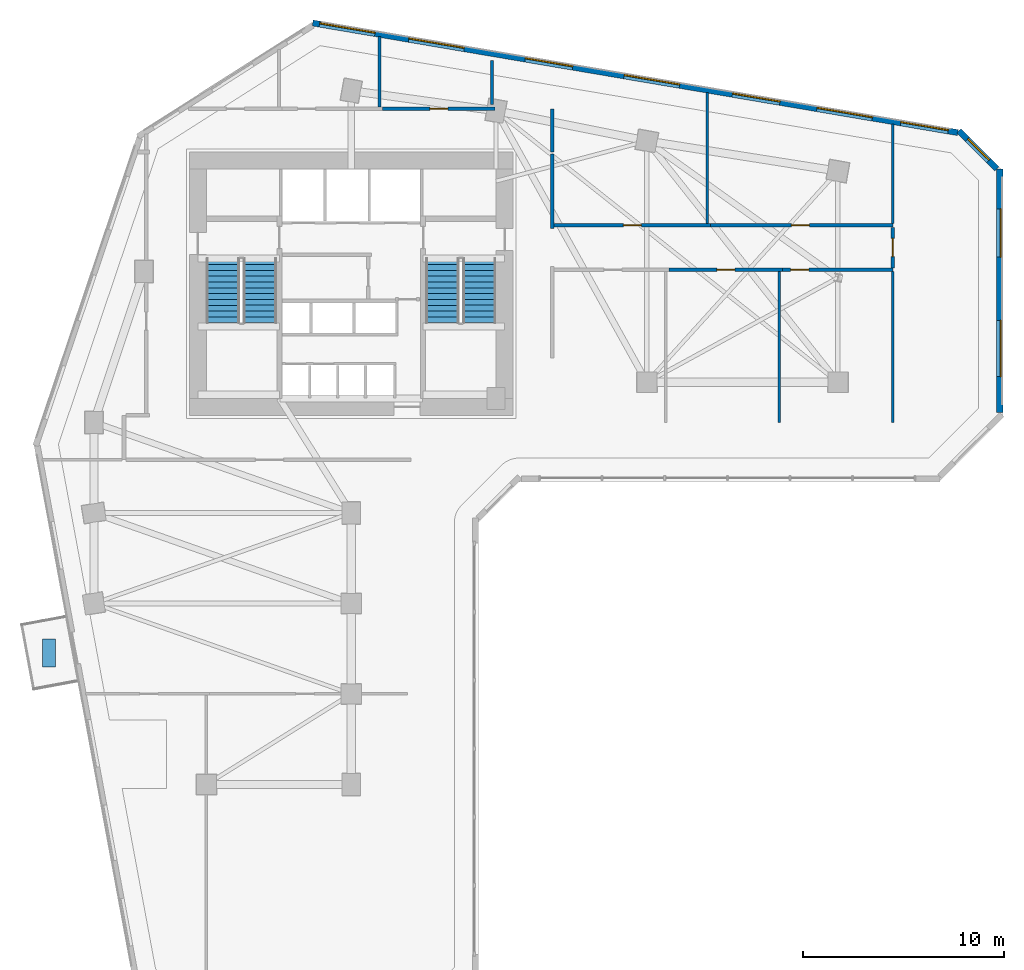
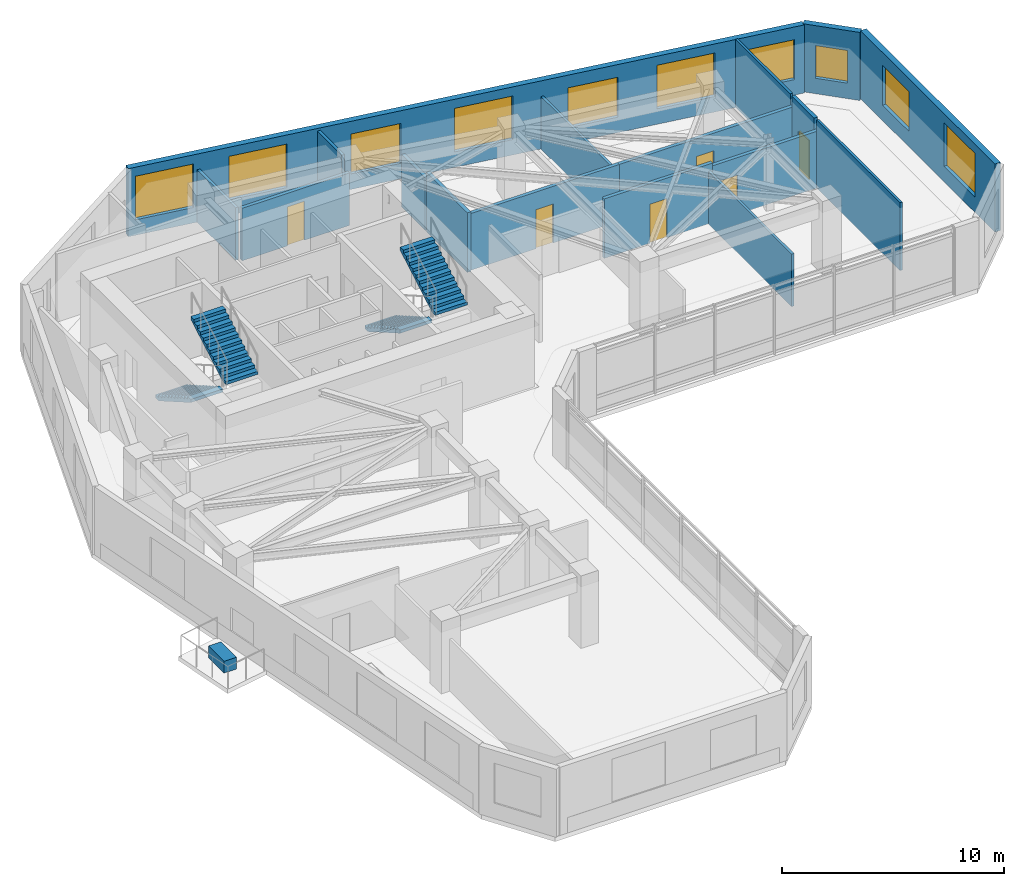
# One storey, part 7 of 9: 17 walls, 10 windows, 6 doors, 4 stair flights, 1 discrete accessory, 16 openings, 2 elements without a shape of their own.
"""IFC4 building model written with IfcOpenShell, lengths in metres."""

from ifc_helpers import new_model, si_unit, direction, frame, frame_2d, origin, origin_2d, place, context, subcontext, project, spatial, polyline, rectangle, outline, extrude, source, transform, mapped, material, layer, layer_set, type_object, element, fill, aggregate, save


model = new_model("IFC4")

# Units and contexts
model_context = context("Model", 3, precision=1e-05, world=origin(), true_north=direction((0.0, 1.0)))
body_context = subcontext(model_context, "Body", "Model", "MODEL_VIEW")
ifc_project = project(units=[si_unit("LENGTHUNIT", "METRE"), si_unit("AREAUNIT", "SQUARE_METRE"), si_unit("VOLUMEUNIT", "CUBIC_METRE"), si_unit("PLANEANGLEUNIT", "RADIAN"), si_unit("MASSUNIT", "GRAM", prefix="KILO")], contexts=[model_context])

# Site, building, storey
site_placement = place(None, origin())
site = spatial("IfcSite", under=ifc_project, at=site_placement, CompositionType="ELEMENT")
building_placement = place(site_placement, origin())
building = spatial("IfcBuilding", under=site, at=building_placement, Name="Calvemar Wedge Station Tower", CompositionType="ELEMENT")
storey_placement = place(building_placement, frame((0.0, 0.0, 67.0)))
storey = spatial("IfcBuildingStorey", under=building, at=storey_placement, Name="L16", CompositionType="ELEMENT", Elevation=67.0)

# Wall, opening, door
ifc_material_1 = material(Name="Double-stud fire-rated corridor partition")
ifc_layer_1 = layer(ifc_material_1, 0.179931640625)
ifc_layer_set_1 = layer_set([ifc_layer_1], Name="Double-stud fire-rated corridor partition")
wall_type_1 = type_object("IfcWallType", Name="W-CORR-180", PredefinedType="PARTITIONING", material=ifc_layer_set_1)
wall_1_placement = place(storey_placement, frame((25.362060546875, 48.60009765625, 0.0), z_axis=(0.0, 0.0, 1.0), x_axis=(1.0, 0.0, 0.0)))
wall_1 = element("IfcWall", 1, at=wall_1_placement, inside=storey, type_object=wall_type_1, Name="Storey L16 Interior Partition WL-L16-011", PredefinedType="PARTITIONING", context=body_context, shape_type="SweptSolid", body=[
    extrude(rectangle(XDim=5.597900390625, YDim=0.179931640625, at=frame_2d((2.798828125, 0.0))), origin(), (0.0, 0.0, 1.0), 2.89208984375),
])
shared_shape_1 = source(origin(), body_context, "Body", "SweptSolid", [
    extrude(rectangle(XDim=0.89990234375, YDim=2.14990234375, at=frame_2d((0.449951171875, 1.074951171875))), frame((0.0, 0.10009765625, 0.0), z_axis=(0.0, -1.0, 0.0), x_axis=(1.0, 0.0, 0.0)), (0.0, 0.0, 1.0), 0.199951171875),
])
opening_1_placement = place(wall_1_placement, frame((2.34912109375, 0.0, 0.0)))
opening_1 = element("IfcOpeningElement", 2, at=opening_1_placement, cuts=wall_1, Name="Opening D-01", PredefinedType="OPENING", context=body_context, shape_type="MappedRepresentation", body=[
    mapped(shared_shape_1, transform((0.0, 0.0, 0.0), scale=1.0)),
])
ifc_material_2 = material(Name="Architectural hardwood acoustic swing door", Category="wood")
door_type = type_object("IfcDoorType", Name="DR-INT-900", OperationType="NOTDEFINED", PredefinedType="DOOR", material=ifc_material_2)
shared_shape_2 = source(origin(), body_context, "Body", "SweptSolid", [
    extrude(rectangle(XDim=0.89990234375, YDim=2.14990234375, at=frame_2d((0.449951171875, 1.074951171875))), frame((0.0, 0.02490234375, 0.0), z_axis=(0.0, -1.0, 0.0), x_axis=(1.0, 0.0, 0.0)), (0.0, 0.0, 1.0), 0.050048828125),
])
door_1_placement = place(opening_1_placement, origin())
door_1 = element("IfcDoor", 3, at=door_1_placement, inside=storey, type_object=door_type, Name="L16 Female Toilet Door", OperationType="SINGLE_SWING_RIGHT", OverallHeight=2.14990234375, OverallWidth=0.89990234375, PredefinedType="DOOR", context=body_context, shape_type="MappedRepresentation", body=[
    mapped(shared_shape_2, transform((0.0, 0.0, 0.0), scale=1.0)),
])
fill(opening_1, door_1)

# Walls
wall_2_placement = place(storey_placement, frame((33.800048828125, 48.60009765625, 0.0), z_axis=(0.0, 0.0, 1.0), x_axis=(0.0, -1.0, 0.0)))
element("IfcWall", 4, at=wall_2_placement, inside=storey, type_object=wall_type_1, Name="Storey L16 Interior Partition WL-L16-012", PredefinedType="PARTITIONING", context=body_context, shape_type="SweptSolid", body=[
    extrude(rectangle(XDim=2.150146484375, YDim=0.179931640625, at=frame_2d((1.0751953125, 0.0))), origin(), (0.0, 0.0, 1.0), 2.89208984375),
])
wall_3_placement = place(storey_placement, frame((33.800048828125, 46.35595703125, 0.0), z_axis=(0.0, 0.0, 1.0), x_axis=(0.0, -1.0, 0.0)))
element("IfcWall", 5, at=wall_3_placement, inside=storey, type_object=wall_type_1, Name="Storey L16 Interior Partition WL-L16-014", PredefinedType="PARTITIONING", context=body_context, shape_type="SweptSolid", body=[
    extrude(rectangle(XDim=3.716064453125, YDim=0.179931640625, at=frame_2d((1.85791015625, 0.0))), origin(), (0.0, 0.0, 1.0), 3.279052734375),
])

# Wall, opening, door
wall_4_placement = place(storey_placement, frame((45.25, 40.60009765625, 0.0), z_axis=(0.0, 0.0, 1.0), x_axis=(-1.0, 0.0, 0.0)))
wall_4 = element("IfcWall", 6, at=wall_4_placement, inside=storey, type_object=wall_type_1, Name="Storey L16 Interior Partition WL-L16-019", PredefinedType="PARTITIONING", context=body_context, shape_type="SweptSolid", body=[
    extrude(rectangle(XDim=5.64306640625, YDim=0.179931640625, at=frame_2d((2.821533203125, 0.0))), origin(), (0.0, 0.0, 1.0), 3.279052734375),
])
opening_2_placement = place(wall_4_placement, frame((2.37158203125, 0.0, 0.0)))
opening_2 = element("IfcOpeningElement", 7, at=opening_2_placement, cuts=wall_4, Name="Opening D-01", PredefinedType="OPENING", context=body_context, shape_type="MappedRepresentation", body=[
    mapped(shared_shape_1, transform((0.0, 0.0, 0.0), scale=1.0)),
])
door_2_placement = place(opening_2_placement, origin())
door_2 = element("IfcDoor", 8, at=door_2_placement, inside=storey, type_object=door_type, Name="L16 Co-Working Studio Door", OperationType="SINGLE_SWING_RIGHT", OverallHeight=2.14990234375, OverallWidth=0.89990234375, PredefinedType="DOOR", context=body_context, shape_type="MappedRepresentation", body=[
    mapped(shared_shape_2, transform((0.0, 0.0, 0.0), scale=1.0)),
])
fill(opening_2, door_2)

wall_5_placement = place(storey_placement, frame((50.735107421875, 40.60009765625, 0.0), z_axis=(0.0, 0.0, 1.0), x_axis=(-1.0, 0.0, 0.0)))
wall_5 = element("IfcWall", 9, at=wall_5_placement, inside=storey, type_object=wall_type_1, Name="Storey L16 Interior Partition WL-L16-020", PredefinedType="PARTITIONING", context=body_context, shape_type="SweptSolid", body=[
    extrude(rectangle(XDim=5.483154296875, YDim=0.179931640625, at=frame_2d((2.74169921875, 0.0))), origin(), (0.0, 0.0, 1.0), 3.125),
])
opening_3_placement = place(wall_5_placement, frame((4.18115234375, 0.0, 0.0)))
opening_3 = element("IfcOpeningElement", 10, at=opening_3_placement, cuts=wall_5, Name="Opening D-01", PredefinedType="OPENING", context=body_context, shape_type="MappedRepresentation", body=[
    mapped(shared_shape_1, transform((0.0, 0.0, 0.0), scale=1.0)),
])
door_3_placement = place(opening_3_placement, origin())
door_3 = element("IfcDoor", 11, at=door_3_placement, inside=storey, type_object=door_type, Name="L16 Meeting Room Door", OperationType="SINGLE_SWING_LEFT", OverallHeight=2.14990234375, OverallWidth=0.89990234375, PredefinedType="DOOR", context=body_context, shape_type="MappedRepresentation", body=[
    mapped(shared_shape_2, transform((0.0, 0.0, 0.0), scale=1.0)),
])
fill(opening_3, door_3)

wall_6_placement = place(storey_placement, frame((33.89404296875, 42.800048828125, 0.0), z_axis=(0.0, 0.0, 1.0), x_axis=(1.0, 0.0, 0.0)))
wall_6 = element("IfcWall", 12, at=wall_6_placement, inside=storey, type_object=wall_type_1, Name="Storey L16 Interior Partition WL-L16-021", PredefinedType="PARTITIONING", context=body_context, shape_type="SweptSolid", body=[
    extrude(rectangle(XDim=7.765869140625, YDim=0.179931640625, at=frame_2d((3.8828125, 0.0))), origin(), (0.0, 0.0, 1.0), 3.125),
])
opening_4_placement = place(wall_6_placement, frame((3.43310546875, 0.0, 0.0)))
opening_4 = element("IfcOpeningElement", 13, at=opening_4_placement, cuts=wall_6, Name="Opening D-01", PredefinedType="OPENING", context=body_context, shape_type="MappedRepresentation", body=[
    mapped(shared_shape_1, transform((0.0, 0.0, 0.0), scale=1.0)),
])
door_4_placement = place(opening_4_placement, origin())
door_4 = element("IfcDoor", 14, at=door_4_placement, inside=storey, type_object=door_type, Name="L16 Meeting Room Door", OperationType="SINGLE_SWING_RIGHT", OverallHeight=2.14990234375, OverallWidth=0.89990234375, PredefinedType="DOOR", context=body_context, shape_type="MappedRepresentation", body=[
    mapped(shared_shape_2, transform((0.0, 0.0, 0.0), scale=1.0)),
])
fill(opening_4, door_4)

wall_7_placement = place(storey_placement, frame((41.662109375, 42.800048828125, 0.0), z_axis=(0.0, 0.0, 1.0), x_axis=(1.0, 0.0, 0.0)))
wall_7 = element("IfcWall", 15, at=wall_7_placement, inside=storey, type_object=wall_type_1, Name="Storey L16 Interior Partition WL-L16-022", PredefinedType="PARTITIONING", context=body_context, shape_type="SweptSolid", body=[
    extrude(rectangle(XDim=9.072998046875, YDim=0.179931640625, at=frame_2d((4.53662109375, 0.0))), origin(), (0.0, 0.0, 1.0), 3.125),
])
opening_5_placement = place(wall_7_placement, frame((4.026123046875, 0.0, 0.0)))
opening_5 = element("IfcOpeningElement", 16, at=opening_5_placement, cuts=wall_7, Name="Opening D-01", PredefinedType="OPENING", context=body_context, shape_type="MappedRepresentation", body=[
    mapped(shared_shape_1, transform((0.0, 0.0, 0.0), scale=1.0)),
])
door_5_placement = place(opening_5_placement, origin())
door_5 = element("IfcDoor", 17, at=door_5_placement, inside=storey, type_object=door_type, Name="L16 Co-Working Studio Door", OperationType="SINGLE_SWING_LEFT", OverallHeight=2.14990234375, OverallWidth=0.89990234375, PredefinedType="DOOR", context=body_context, shape_type="MappedRepresentation", body=[
    mapped(shared_shape_2, transform((0.0, 0.0, 0.0), scale=1.0)),
])
fill(opening_5, door_5)

wall_8_placement = place(storey_placement, frame((50.735107421875, 42.7060546875, 0.0), z_axis=(0.0, 0.0, 1.0), x_axis=(0.0, -1.0, 0.0)))
wall_8 = element("IfcWall", 18, at=wall_8_placement, inside=storey, type_object=wall_type_1, Name="Storey L16 Interior Partition WL-L16-023", PredefinedType="PARTITIONING", context=body_context, shape_type="SweptSolid", body=[
    extrude(rectangle(XDim=2.011962890625, YDim=0.179931640625, at=frame_2d((1.005859375, 0.0))), origin(), (0.0, 0.0, 1.0), 3.75),
])
opening_6_placement = place(wall_8_placement, frame((0.555908203125, 0.0, 0.0)))
opening_6 = element("IfcOpeningElement", 19, at=opening_6_placement, cuts=wall_8, Name="Opening D-01", PredefinedType="OPENING", context=body_context, shape_type="MappedRepresentation", body=[
    mapped(shared_shape_1, transform((0.0, 0.0, 0.0), scale=1.0)),
])
door_6_placement = place(opening_6_placement, origin())
door_6 = element("IfcDoor", 20, at=door_6_placement, inside=storey, type_object=door_type, Name="L16 Conference Hall Door", OperationType="SINGLE_SWING_RIGHT", OverallHeight=2.14990234375, OverallWidth=0.89990234375, PredefinedType="DOOR", context=body_context, shape_type="MappedRepresentation", body=[
    mapped(shared_shape_2, transform((0.0, 0.0, 0.0), scale=1.0)),
])
fill(opening_6, door_6)

# Wall, openings, windows
ifc_material_3 = material(Name="Precast concrete C45", Category="concrete")
ifc_layer_2 = layer(ifc_material_3, 0.300048828125)
ifc_layer_set_2 = layer_set([ifc_layer_2], Name="Precast concrete C45")
wall_type_2 = type_object("IfcWallType", Name="W-EXT-GFRC-300", PredefinedType="SOLIDWALL", material=ifc_layer_set_2)
wall_9_placement = place(storey_placement, frame((56.050048828125, 33.4853515625, 0.0), z_axis=(0.0, 0.0, 1.0), x_axis=(0.0, 1.0, 0.0)))
wall_9 = element("IfcWall", 21, at=wall_9_placement, inside=storey, type_object=wall_type_2, Name="Storey L16 Bronze GFRC Exterior Wall 8", PredefinedType="SOLIDWALL", context=body_context, shape_type="SweptSolid", body=[
    extrude(rectangle(XDim=12.130615234375, YDim=0.300048828125, at=frame_2d((6.0654296875, 0.0))), origin(), (0.0, 0.0, 1.0), 3.75),
])
shared_shape_3 = source(origin(), body_context, "Body", "SweptSolid", [
    extrude(rectangle(XDim=2.800048828125, YDim=2.39990234375, at=frame_2d((1.39990234375, 1.199951171875))), frame((0.0, 0.16015625, 0.0), z_axis=(0.0, -1.0, 0.0), x_axis=(1.0, 0.0, 0.0)), (0.0, 0.0, 1.0), 0.320068359375),
])
opening_7_placement = place(wall_9_placement, frame((1.79296875, 0.0, 0.85009765625)))
opening_7 = element("IfcOpeningElement", 22, at=opening_7_placement, cuts=wall_9, Name="Opening W6", PredefinedType="OPENING", context=body_context, shape_type="MappedRepresentation", body=[
    mapped(shared_shape_3, transform((0.0, 0.0, 0.0), scale=1.0)),
])
shared_shape_4 = source(origin(), body_context, "Body", "SweptSolid", [
    extrude(rectangle(XDim=2.39990234375, YDim=2.199951171875, at=frame_2d((1.199951171875, 1.10009765625))), frame((0.0, 0.16015625, 0.0), z_axis=(0.0, -1.0, 0.0), x_axis=(1.0, 0.0, 0.0)), (0.0, 0.0, 1.0), 0.320068359375),
])
opening_8_placement = place(wall_9_placement, frame((7.738037109375, 0.0, 0.85009765625)))
opening_8 = element("IfcOpeningElement", 23, at=opening_8_placement, cuts=wall_9, Name="Opening W1", PredefinedType="OPENING", context=body_context, shape_type="MappedRepresentation", body=[
    mapped(shared_shape_4, transform((0.0, 0.0, 0.0), scale=1.0)),
])
ifc_material_4 = material(Name="Low-E laminated insulated glass", Category="glass")
window_type_1 = type_object("IfcWindowType", Name="WIN-EXT-6", PartitioningType="SINGLE_PANEL", PredefinedType="WINDOW", material=ifc_material_4)
shared_shape_5 = source(origin(), body_context, "Body", "SweptSolid", [
    extrude(rectangle(XDim=2.800048828125, YDim=2.39990234375, at=frame_2d((1.39990234375, 1.199951171875))), frame((0.0, -0.014892578125, 0.0), z_axis=(0.0, -1.0, 0.0), x_axis=(1.0, 0.0, 0.0)), (0.0, 0.0, 1.0), 0.06005859375),
])
window_1_placement = place(opening_7_placement, origin())
window_1 = element("IfcWindow", 24, at=window_1_placement, inside=storey, type_object=window_type_1, Name="Storey L16 Recessed Window 8.1", OverallHeight=2.39990234375, OverallWidth=2.800048828125, PartitioningType="SINGLE_PANEL", PredefinedType="WINDOW", context=body_context, shape_type="MappedRepresentation", body=[
    mapped(shared_shape_5, transform((0.0, 0.0, 0.0), scale=1.0)),
])
fill(opening_7, window_1)
window_type_2 = type_object("IfcWindowType", Name="WIN-EXT-1", PartitioningType="SINGLE_PANEL", PredefinedType="WINDOW", material=ifc_material_4)
shared_shape_6 = source(origin(), body_context, "Body", "SweptSolid", [
    extrude(rectangle(XDim=2.39990234375, YDim=2.199951171875, at=frame_2d((1.199951171875, 1.10009765625))), frame((0.0, -0.014892578125, 0.0), z_axis=(0.0, -1.0, 0.0), x_axis=(1.0, 0.0, 0.0)), (0.0, 0.0, 1.0), 0.06005859375),
])
window_2_placement = place(opening_8_placement, origin())
window_2 = element("IfcWindow", 25, at=window_2_placement, inside=storey, type_object=window_type_2, Name="Storey L16 Recessed Window 8.2", OverallHeight=2.199951171875, OverallWidth=2.39990234375, PartitioningType="SINGLE_PANEL", PredefinedType="WINDOW", context=body_context, shape_type="MappedRepresentation", body=[
    mapped(shared_shape_6, transform((0.0, 0.0, 0.0), scale=1.0)),
])
fill(opening_8, window_2)

# Wall, opening, window
wall_10_placement = place(storey_placement, frame((55.912109375, 45.60400390625, 0.0), z_axis=(0.0, 0.0, 1.0), x_axis=(-0.707152443695, 0.707061115729, 0.0)))
wall_10 = element("IfcWall", 26, at=wall_10_placement, inside=storey, type_object=wall_type_2, Name="Storey L16 Bronze GFRC Exterior Wall 9", PredefinedType="SOLIDWALL", context=body_context, shape_type="SweptSolid", body=[
    extrude(rectangle(XDim=2.67333984375, YDim=0.300048828125, at=frame_2d((1.336669921875, 0.0))), origin(), (0.0, 0.0, 1.0), 3.75),
])
shared_shape_7 = source(origin(), body_context, "Body", "SweptSolid", [
    extrude(rectangle(XDim=1.5, YDim=1.800048828125, at=frame_2d((0.75, 0.89990234375))), frame((0.0, 0.16015625, 0.0), z_axis=(0.0, -1.0, 0.0), x_axis=(1.0, 0.0, 0.0)), (0.0, 0.0, 1.0), 0.320068359375),
])
opening_9_placement = place(wall_10_placement, frame((0.5869140625, 0.0, 0.85009765625)))
opening_9 = element("IfcOpeningElement", 27, at=opening_9_placement, cuts=wall_10, Name="Opening W3", PredefinedType="OPENING", context=body_context, shape_type="MappedRepresentation", body=[
    mapped(shared_shape_7, transform((0.0, 0.0, 0.0), scale=1.0)),
])
window_type_3 = type_object("IfcWindowType", Name="WIN-EXT-3", PartitioningType="SINGLE_PANEL", PredefinedType="WINDOW", material=ifc_material_4)
shared_shape_8 = source(origin(), body_context, "Body", "SweptSolid", [
    extrude(rectangle(XDim=1.5, YDim=1.800048828125, at=frame_2d((0.75, 0.89990234375))), frame((0.0, -0.014892578125, 0.0), z_axis=(0.0, -1.0, 0.0), x_axis=(1.0, 0.0, 0.0)), (0.0, 0.0, 1.0), 0.06005859375),
])
window_3_placement = place(opening_9_placement, origin())
window_3 = element("IfcWindow", 28, at=window_3_placement, inside=storey, type_object=window_type_3, Name="Storey L16 Recessed Window 9.1", OverallHeight=1.800048828125, OverallWidth=1.5, PartitioningType="SINGLE_PANEL", PredefinedType="WINDOW", context=body_context, shape_type="MappedRepresentation", body=[
    mapped(shared_shape_8, transform((0.0, 0.0, 0.0), scale=1.0)),
])
fill(opening_9, window_3)

# Wall, openings, windows
wall_11_placement = place(storey_placement, frame((53.9609375, 47.41650390625, 0.0), z_axis=(0.0, 0.0, 1.0), x_axis=(-0.985865713455, 0.167537443678, 0.0)))
wall_11 = element("IfcWall", 29, at=wall_11_placement, inside=storey, type_object=wall_type_2, Name="Storey L16 Bronze GFRC Exterior Wall 10", PredefinedType="SOLIDWALL", context=body_context, shape_type="SweptSolid", body=[
    extrude(rectangle(XDim=32.537109375, YDim=0.300048828125, at=frame_2d((16.2685546875, 0.0))), origin(), (0.0, 0.0, 1.0), 3.75),
])
opening_10_placement = place(wall_11_placement, frame((0.47607421875, 0.0, 0.85009765625)))
opening_10 = element("IfcOpeningElement", 30, at=opening_10_placement, cuts=wall_11, Name="Opening W1", PredefinedType="OPENING", context=body_context, shape_type="MappedRepresentation", body=[
    mapped(shared_shape_4, transform((0.0, 0.0, 0.0), scale=1.0)),
])
opening_11_placement = place(wall_11_placement, frame((4.303955078125, 0.0, 0.85009765625)))
opening_11 = element("IfcOpeningElement", 31, at=opening_11_placement, cuts=wall_11, Name="Opening W6", PredefinedType="OPENING", context=body_context, shape_type="MappedRepresentation", body=[
    mapped(shared_shape_3, transform((0.0, 0.0, 0.0), scale=1.0)),
])
opening_12_placement = place(wall_11_placement, frame((8.968017578125, 0.0, 0.85009765625)))
opening_12 = element("IfcOpeningElement", 32, at=opening_12_placement, cuts=wall_11, Name="Opening W1", PredefinedType="OPENING", context=body_context, shape_type="MappedRepresentation", body=[
    mapped(shared_shape_4, transform((0.0, 0.0, 0.0), scale=1.0)),
])
opening_13_placement = place(wall_11_placement, frame((14.033935546875, 0.0, 0.85009765625)))
opening_13 = element("IfcOpeningElement", 33, at=opening_13_placement, cuts=wall_11, Name="Opening W6", PredefinedType="OPENING", context=body_context, shape_type="MappedRepresentation", body=[
    mapped(shared_shape_3, transform((0.0, 0.0, 0.0), scale=1.0)),
])
opening_14_placement = place(wall_11_placement, frame((19.422119140625, 0.0, 0.85009765625)))
opening_14 = element("IfcOpeningElement", 34, at=opening_14_placement, cuts=wall_11, Name="Opening W1", PredefinedType="OPENING", context=body_context, shape_type="MappedRepresentation", body=[
    mapped(shared_shape_4, transform((0.0, 0.0, 0.0), scale=1.0)),
])
opening_15_placement = place(wall_11_placement, frame((24.89501953125, 0.0, 0.85009765625)))
opening_15 = element("IfcOpeningElement", 35, at=opening_15_placement, cuts=wall_11, Name="Opening W6", PredefinedType="OPENING", context=body_context, shape_type="MappedRepresentation", body=[
    mapped(shared_shape_3, transform((0.0, 0.0, 0.0), scale=1.0)),
])
opening_16_placement = place(wall_11_placement, frame((29.39501953125, 0.0, 0.85009765625)))
opening_16 = element("IfcOpeningElement", 36, at=opening_16_placement, cuts=wall_11, Name="Opening W6", PredefinedType="OPENING", context=body_context, shape_type="MappedRepresentation", body=[
    mapped(shared_shape_3, transform((0.0, 0.0, 0.0), scale=1.0)),
])
window_4_placement = place(opening_11_placement, origin())
window_4 = element("IfcWindow", 37, at=window_4_placement, inside=storey, type_object=window_type_1, Name="Storey L16 Recessed Window 10.2", OverallHeight=2.39990234375, OverallWidth=2.800048828125, PartitioningType="SINGLE_PANEL", PredefinedType="WINDOW", context=body_context, shape_type="MappedRepresentation", body=[
    mapped(shared_shape_5, transform((0.0, 0.0, 0.0), scale=1.0)),
])
fill(opening_11, window_4)
window_5_placement = place(opening_13_placement, origin())
window_5 = element("IfcWindow", 38, at=window_5_placement, inside=storey, type_object=window_type_1, Name="Storey L16 Recessed Window 10.4", OverallHeight=2.39990234375, OverallWidth=2.800048828125, PartitioningType="SINGLE_PANEL", PredefinedType="WINDOW", context=body_context, shape_type="MappedRepresentation", body=[
    mapped(shared_shape_5, transform((0.0, 0.0, 0.0), scale=1.0)),
])
fill(opening_13, window_5)
window_6_placement = place(opening_15_placement, origin())
window_6 = element("IfcWindow", 39, at=window_6_placement, inside=storey, type_object=window_type_1, Name="Storey L16 Recessed Window 10.6", OverallHeight=2.39990234375, OverallWidth=2.800048828125, PartitioningType="SINGLE_PANEL", PredefinedType="WINDOW", context=body_context, shape_type="MappedRepresentation", body=[
    mapped(shared_shape_5, transform((0.0, 0.0, 0.0), scale=1.0)),
])
fill(opening_15, window_6)
window_7_placement = place(opening_16_placement, origin())
window_7 = element("IfcWindow", 40, at=window_7_placement, inside=storey, type_object=window_type_1, Name="Storey L16 Recessed Window 10.7", OverallHeight=2.39990234375, OverallWidth=2.800048828125, PartitioningType="SINGLE_PANEL", PredefinedType="WINDOW", context=body_context, shape_type="MappedRepresentation", body=[
    mapped(shared_shape_5, transform((0.0, 0.0, 0.0), scale=1.0)),
])
fill(opening_16, window_7)
window_8_placement = place(opening_10_placement, origin())
window_8 = element("IfcWindow", 41, at=window_8_placement, inside=storey, type_object=window_type_2, Name="Storey L16 Recessed Window 10.1", OverallHeight=2.199951171875, OverallWidth=2.39990234375, PartitioningType="SINGLE_PANEL", PredefinedType="WINDOW", context=body_context, shape_type="MappedRepresentation", body=[
    mapped(shared_shape_6, transform((0.0, 0.0, 0.0), scale=1.0)),
])
fill(opening_10, window_8)
window_9_placement = place(opening_12_placement, origin())
window_9 = element("IfcWindow", 42, at=window_9_placement, inside=storey, type_object=window_type_2, Name="Storey L16 Recessed Window 10.3", OverallHeight=2.199951171875, OverallWidth=2.39990234375, PartitioningType="SINGLE_PANEL", PredefinedType="WINDOW", context=body_context, shape_type="MappedRepresentation", body=[
    mapped(shared_shape_6, transform((0.0, 0.0, 0.0), scale=1.0)),
])
fill(opening_12, window_9)
window_10_placement = place(opening_14_placement, origin())
window_10 = element("IfcWindow", 43, at=window_10_placement, inside=storey, type_object=window_type_2, Name="Storey L16 Recessed Window 10.5", OverallHeight=2.199951171875, OverallWidth=2.39990234375, PartitioningType="SINGLE_PANEL", PredefinedType="WINDOW", context=body_context, shape_type="MappedRepresentation", body=[
    mapped(shared_shape_6, transform((0.0, 0.0, 0.0), scale=1.0)),
])
fill(opening_14, window_10)

# Walls
ifc_material_5 = material(Name="Insulated acoustic gypsum stud partition")
ifc_layer_3 = layer(ifc_material_5, 0.125)
ifc_layer_set_3 = layer_set([ifc_layer_3], Name="Insulated acoustic gypsum stud partition")
wall_type_3 = type_object("IfcWallType", Name="W-PART-125", PredefinedType="PARTITIONING", material=ifc_layer_set_3)
wall_12_placement = place(storey_placement, frame((45.090087890625, 40.506103515625, 0.0), z_axis=(0.0, 0.0, 1.0), x_axis=(0.0, -1.0, 0.0)))
element("IfcWall", 44, at=wall_12_placement, inside=storey, type_object=wall_type_3, Name="Storey L16 Interior Partition WL-L16-025", PredefinedType="PARTITIONING", context=body_context, shape_type="SweptSolid", body=[
    extrude(rectangle(XDim=7.506103515625, YDim=0.125, at=frame_2d((3.7529296875, 0.0))), origin(), (0.0, 0.0, 1.0), 2.89208984375),
])
wall_13_placement = place(storey_placement, frame((50.735107421875, 40.506103515625, 0.0), z_axis=(0.0, 0.0, 1.0), x_axis=(0.0, -1.0, 0.0)))
element("IfcWall", 45, at=wall_13_placement, inside=storey, type_object=wall_type_3, Name="Storey L16 Interior Partition WL-L16-026", PredefinedType="PARTITIONING", context=body_context, shape_type="SweptSolid", body=[
    extrude(rectangle(XDim=7.506103515625, YDim=0.125, at=frame_2d((3.7529296875, 0.0))), origin(), (0.0, 0.0, 1.0), 3.75),
])
wall_14_placement = place(storey_placement, frame((41.5, 49.41748046875, 0.0), z_axis=(0.0, 0.0, 1.0), x_axis=(0.0, -1.0, 0.0)))
element("IfcWall", 46, at=wall_14_placement, inside=storey, type_object=wall_type_3, Name="Storey L16 Interior Partition WL-L16-027", PredefinedType="PARTITIONING", context=body_context, shape_type="SweptSolid", body=[
    extrude(rectangle(XDim=6.5234375, YDim=0.125, at=frame_2d((3.26171875, 0.0))), origin(), (0.0, 0.0, 1.0), 2.89208984375),
])
wall_15_placement = place(storey_placement, frame((50.735107421875, 47.847900390625, 0.0), z_axis=(0.0, 0.0, 1.0), x_axis=(0.0, -1.0, 0.0)))
element("IfcWall", 47, at=wall_15_placement, inside=storey, type_object=wall_type_3, Name="Storey L16 Interior Partition WL-L16-028", PredefinedType="PARTITIONING", context=body_context, shape_type="SweptSolid", body=[
    extrude(rectangle(XDim=4.953857421875, YDim=0.125, at=frame_2d((2.47705078125, 0.0))), origin(), (0.0, 0.0, 1.0), 3.75),
])
ifc_material_6 = material(Name="Moisture-resistant acoustic bathroom partition")
ifc_layer_4 = layer(ifc_material_6, 0.14990234375)
ifc_layer_set_4 = layer_set([ifc_layer_4], Name="Moisture-resistant acoustic bathroom partition")
wall_type_4 = type_object("IfcWallType", Name="W-WET-150", PredefinedType="PARTITIONING", material=ifc_layer_set_4)
wall_16_placement = place(storey_placement, frame((25.199951171875, 52.1875, 0.0), z_axis=(0.0, 0.0, 1.0), x_axis=(0.0, -1.0, 0.0)))
element("IfcWall", 48, at=wall_16_placement, inside=storey, type_object=wall_type_4, Name="Storey L16 Interior Partition WL-L16-017", PredefinedType="PARTITIONING", context=body_context, shape_type="SweptSolid", body=[
    extrude(rectangle(XDim=3.493408203125, YDim=0.14990234375, at=frame_2d((1.74658203125, 0.0))), origin(), (0.0, 0.0, 1.0), 2.89208984375),
])
wall_17_placement = place(storey_placement, frame((30.800048828125, 51.0126953125, 0.0), z_axis=(0.0, 0.0, 1.0), x_axis=(0.0, -1.0, 0.0)))
element("IfcWall", 49, at=wall_17_placement, inside=storey, type_object=wall_type_4, Name="Storey L16 Bathroom Enclosure Wall WL-L16-032", PredefinedType="PARTITIONING", context=body_context, shape_type="SweptSolid", body=[
    extrude(rectangle(XDim=2.192626953125, YDim=0.14990234375, at=frame_2d((1.09619140625, 0.0))), origin(), (0.0, 0.0, 1.0), 3.75),
])

# Stair, stair flights
ifc_material_7 = material(Name="Concrete C45", Category="concrete")
stair_type = type_object("IfcStairType", Name="ST-TYPE-4000", PredefinedType="HALF_TURN_STAIR", material=ifc_material_7)
stair_1_placement = place(storey_placement, origin())
stair_1 = element("IfcStair", 50, at=stair_1_placement, inside=storey, type_object=stair_type, Name="L16 Pressurized Core Exit Stair ST-C1", PredefinedType="HALF_TURN_STAIR")
stair_flight_type = type_object("IfcStairFlightType", Name="STF-TYPE-4000", PredefinedType="STRAIGHT", material=ifc_material_7)
stair_flight_1_placement = place(storey_placement, frame((17.429931640625, 41.14990234375, 0.0), z_axis=(0.0, 0.0, 1.0), x_axis=(0.0, -1.0, 0.0)))
stair_flight_1 = element("IfcStairFlight", 51, at=stair_flight_1_placement, type_object=stair_flight_type, Name="ST-C1 flight 1", NumberOfRisers=12, NumberOfTreads=11, PredefinedType="STRAIGHT", RiserHeight=0.166666667, TreadLength=0.29, context=body_context, shape_type="SweptSolid", body=[
    extrude(outline(polyline([(0.0, 0.0), (0.0, 0.166748046875), (0.2900390625, 0.166748046875), (0.2900390625, 0.333251953125), (0.580078125, 0.333251953125), (0.580078125, 0.5), (0.8701171875, 0.5), (0.8701171875, 0.666748046875), (1.159912109375, 0.666748046875), (1.159912109375, 0.833251953125), (1.449951171875, 0.833251953125), (1.449951171875, 1.0), (1.739990234375, 1.0), (1.739990234375, 1.166748046875), (2.030029296875, 1.166748046875), (2.030029296875, 1.333251953125), (2.320068359375, 1.333251953125), (2.320068359375, 1.5), (2.610107421875, 1.5), (2.610107421875, 1.666748046875), (2.89990234375, 1.666748046875), (2.89990234375, 1.833251953125), (3.18994140625, 1.833251953125), (3.18994140625, 2.0), (3.18994140625, 1.660400390625), (0.30078125, 0.0), (0.0, 0.0)])), frame((0.0, 0.830078125, 0.0), z_axis=(0.0, -1.0, 0.0), x_axis=(1.0, 0.0, 0.0)), (0.0, 0.0, 1.0), 1.659912109375),
])
stair_flight_2_placement = place(storey_placement, frame((19.27001953125, 37.9599609375, 2.0), z_axis=(0.0, 0.0, 1.0), x_axis=(0.0, 1.0, 0.0)))
stair_flight_2 = element("IfcStairFlight", 52, at=stair_flight_2_placement, type_object=stair_flight_type, Name="ST-C1 flight 2", NumberOfRisers=12, NumberOfTreads=11, PredefinedType="STRAIGHT", RiserHeight=0.166666667, TreadLength=0.29, context=body_context, shape_type="SweptSolid", body=[
    extrude(outline(polyline([(0.0, 0.0), (0.0, 0.166748046875), (0.2900390625, 0.166748046875), (0.2900390625, 0.333251953125), (0.580078125, 0.333251953125), (0.580078125, 0.5), (0.8701171875, 0.5), (0.8701171875, 0.666748046875), (1.159912109375, 0.666748046875), (1.159912109375, 0.833251953125), (1.449951171875, 0.833251953125), (1.449951171875, 1.0), (1.739990234375, 1.0), (1.739990234375, 1.166748046875), (2.030029296875, 1.166748046875), (2.030029296875, 1.333251953125), (2.320068359375, 1.333251953125), (2.320068359375, 1.5), (2.610107421875, 1.5), (2.610107421875, 1.666748046875), (2.89990234375, 1.666748046875), (2.89990234375, 1.833251953125), (3.18994140625, 1.833251953125), (3.18994140625, 2.0), (3.18994140625, 1.660400390625), (0.30078125, 0.0), (0.0, 0.0)])), frame((0.0, 0.830078125, 0.0), z_axis=(0.0, -1.0, 0.0), x_axis=(1.0, 0.0, 0.0)), (0.0, 0.0, 1.0), 1.659912109375),
])
aggregate(stair_1, [stair_flight_1, stair_flight_2])

stair_2_placement = place(storey_placement, origin())
stair_2 = element("IfcStair", 53, at=stair_2_placement, inside=storey, type_object=stair_type, Name="L16 Pressurized Core Exit Stair ST-C2", PredefinedType="HALF_TURN_STAIR")
stair_flight_3_placement = place(storey_placement, frame((28.330078125, 41.14990234375, 0.0), z_axis=(0.0, 0.0, 1.0), x_axis=(0.0, -1.0, 0.0)))
stair_flight_3 = element("IfcStairFlight", 54, at=stair_flight_3_placement, type_object=stair_flight_type, Name="ST-C2 flight 1", NumberOfRisers=12, NumberOfTreads=11, PredefinedType="STRAIGHT", RiserHeight=0.166666667, TreadLength=0.29, context=body_context, shape_type="SweptSolid", body=[
    extrude(outline(polyline([(0.0, 0.0), (0.0, 0.166748046875), (0.2900390625, 0.166748046875), (0.2900390625, 0.333251953125), (0.580078125, 0.333251953125), (0.580078125, 0.5), (0.8701171875, 0.5), (0.8701171875, 0.666748046875), (1.159912109375, 0.666748046875), (1.159912109375, 0.833251953125), (1.449951171875, 0.833251953125), (1.449951171875, 1.0), (1.739990234375, 1.0), (1.739990234375, 1.166748046875), (2.030029296875, 1.166748046875), (2.030029296875, 1.333251953125), (2.320068359375, 1.333251953125), (2.320068359375, 1.5), (2.610107421875, 1.5), (2.610107421875, 1.666748046875), (2.89990234375, 1.666748046875), (2.89990234375, 1.833251953125), (3.18994140625, 1.833251953125), (3.18994140625, 2.0), (3.18994140625, 1.660400390625), (0.30078125, 0.0), (0.0, 0.0)])), frame((0.0, 0.830078125, 0.0), z_axis=(0.0, -1.0, 0.0), x_axis=(1.0, 0.0, 0.0)), (0.0, 0.0, 1.0), 1.659912109375),
])
stair_flight_4_placement = place(storey_placement, frame((30.169921875, 37.9599609375, 2.0), z_axis=(0.0, 0.0, 1.0), x_axis=(0.0, 1.0, 0.0)))
stair_flight_4 = element("IfcStairFlight", 55, at=stair_flight_4_placement, type_object=stair_flight_type, Name="ST-C2 flight 2", NumberOfRisers=12, NumberOfTreads=11, PredefinedType="STRAIGHT", RiserHeight=0.166666667, TreadLength=0.29, context=body_context, shape_type="SweptSolid", body=[
    extrude(outline(polyline([(0.0, 0.0), (0.0, 0.166748046875), (0.2900390625, 0.166748046875), (0.2900390625, 0.333251953125), (0.580078125, 0.333251953125), (0.580078125, 0.5), (0.8701171875, 0.5), (0.8701171875, 0.666748046875), (1.159912109375, 0.666748046875), (1.159912109375, 0.833251953125), (1.449951171875, 0.833251953125), (1.449951171875, 1.0), (1.739990234375, 1.0), (1.739990234375, 1.166748046875), (2.030029296875, 1.166748046875), (2.030029296875, 1.333251953125), (2.320068359375, 1.333251953125), (2.320068359375, 1.5), (2.610107421875, 1.5), (2.610107421875, 1.666748046875), (2.89990234375, 1.666748046875), (2.89990234375, 1.833251953125), (3.18994140625, 1.833251953125), (3.18994140625, 2.0), (3.18994140625, 1.660400390625), (0.30078125, 0.0), (0.0, 0.0)])), frame((0.0, 0.830078125, 0.0), z_axis=(0.0, -1.0, 0.0), x_axis=(1.0, 0.0, 0.0)), (0.0, 0.0, 1.0), 1.659912109375),
])
aggregate(stair_2, [stair_flight_3, stair_flight_4])

# Discrete accessory
discrete_accessory_type = type_object("IfcDiscreteAccessoryType", Name="ACC-PLANTER", PredefinedType="USERDEFINED", material=ifc_material_3)
shared_shape_9 = source(origin(), body_context, "Body", "SweptSolid", [
    extrude(rectangle(XDim=0.64990234375, YDim=1.39990234375, at=origin_2d()), origin(), (0.0, 0.0, 1.0), 0.64990234375),
])
discrete_accessory_placement = place(storey_placement, frame((8.76806640625, 21.5400390625, 0.0), z_axis=(0.0, 0.0, 1.0), x_axis=(1.0, 0.0, 0.0)))
element("IfcDiscreteAccessory", 56, at=discrete_accessory_placement, inside=storey, type_object=discrete_accessory_type, Name="Storey L16 Planted Terrace GFRC Planter", ObjectType="PLANTER", PredefinedType="USERDEFINED", context=body_context, shape_type="MappedRepresentation", body=[
    mapped(shared_shape_9, transform((0.0, 0.0, 0.0), scale=1.0)),
])

save(model, "model.ifc")
